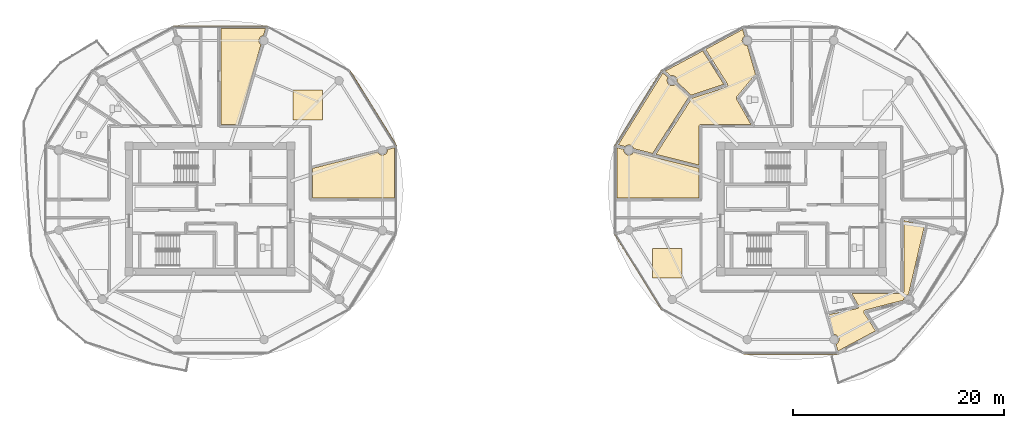
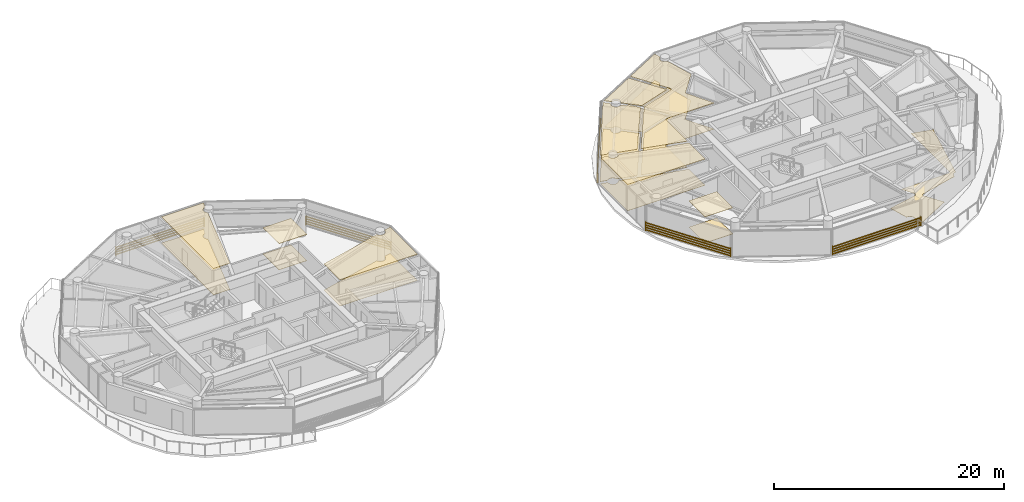
# One storey, part 22 of 25: 17 coverings, 5 shading devices.
"""IFC4 building model written with IfcOpenShell, lengths in metres."""

from ifc_helpers import new_model, si_unit, direction, frame, origin, origin_2d, place, context, subcontext, project, spatial, polyline, rectangle, outline, extrude, source, transform, mapped, material, layer, layer_set, type_object, type_shapes, element, save


model = new_model("IFC4")

# Units and contexts
model_context = context("Model", 3, precision=1e-05, world=origin(), true_north=direction((0.0, 1.0)))
body_context = subcontext(model_context, "Body", "Model", "MODEL_VIEW")
ifc_project = project(units=[si_unit("LENGTHUNIT", "METRE"), si_unit("AREAUNIT", "SQUARE_METRE"), si_unit("VOLUMEUNIT", "CUBIC_METRE"), si_unit("PLANEANGLEUNIT", "RADIAN"), si_unit("MASSUNIT", "GRAM", prefix="KILO")], contexts=[model_context])

# Site, building, storey
site_placement = place(None, origin())
site = spatial("IfcSite", under=ifc_project, at=site_placement, CompositionType="ELEMENT")
building_placement = place(site_placement, origin())
building = spatial("IfcBuilding", under=site, at=building_placement, Name="Norrkilde Senior Care Towers", CompositionType="ELEMENT")
storey_placement = place(building_placement, frame((0.0, 0.0, 161.75)))
storey = spatial("IfcBuildingStorey", under=building, at=storey_placement, Name="L50", CompositionType="ELEMENT", Elevation=161.75)

# Coverings
ifc_material_1 = material(Name="Nordic Ash Timber", Category="wood")
ifc_layer_1 = layer(ifc_material_1, 0.044921875)
ifc_layer_set_1 = layer_set([ifc_layer_1], Name="Nordic Ash Timber")
covering_type_1 = type_object("IfcCoveringType", Name="Acoustic Ash Timber Slatted Ceiling 45", PredefinedType="CEILING", material=ifc_layer_set_1)
covering_1_placement = place(storey_placement, frame((0.0, 0.0, 2.764892578125)))
element("IfcCovering", 1, at=covering_1_placement, inside=storey, type_object=covering_type_1, Name="L50 Suspended Ceiling 0308", PredefinedType="CEILING", context=body_context, shape_type="SweptSolid", body=[
    extrude(outline(polyline([(-22.732666015625, 17.05224609375), (-22.9189453125, 16.400146484375), (-22.9970703125, 16.389892578125), (-23.11279296875, 16.341796875), (-23.212158203125, 16.265625), (-23.288330078125, 16.166259765625), (-23.33642578125, 16.05029296875), (-23.352783203125, 15.92626953125), (-23.33642578125, 15.802001953125), (-23.288330078125, 15.686279296875), (-23.212158203125, 15.586669921875), (-23.162353515625, 15.548583984375), (-25.3203125, 8.0), (-26.9599609375, 8.0), (-26.9599609375, 17.05224609375), (-22.732666015625, 17.05224609375)])), origin(), (0.0, 0.0, 1.0), 0.045166015625),
])
covering_2_placement = place(storey_placement, frame((0.0, 0.0, 2.764892578125)))
element("IfcCovering", 2, at=covering_2_placement, inside=storey, type_object=covering_type_1, Name="L50 Suspended Ceiling 0309", PredefinedType="CEILING", context=body_context, shape_type="SweptSolid", body=[
    extrude(outline(polyline([(-10.5390625, 1.0400390625), (-18.300048828125, 1.0400390625), (-18.300048828125, 3.830322265625), (-12.105224609375, 5.38623046875), (-12.080810546875, 5.3271484375), (-12.00439453125, 5.2275390625), (-11.905029296875, 5.1513671875), (-11.789306640625, 5.103515625), (-11.6650390625, 5.087158203125), (-11.540771484375, 5.103515625), (-11.425048828125, 5.1513671875), (-11.32568359375, 5.2275390625), (-11.249267578125, 5.3271484375), (-11.201416015625, 5.44287109375), (-11.18505859375, 5.567138671875), (-11.19140625, 5.61572265625), (-10.5390625, 5.779541015625), (-10.5390625, 1.0400390625)])), origin(), (0.0, 0.0, 1.0), 0.045166015625),
])
covering_3_placement = place(storey_placement, frame((0.0, 0.0, 2.764892578125)))
element("IfcCovering", 3, at=covering_3_placement, inside=storey, type_object=covering_type_1, Name="L50 Suspended Ceiling 0310", PredefinedType="CEILING", context=body_context, shape_type="SweptSolid", body=[
    extrude(outline(polyline([(-20.141845703125, 8.42724609375), (-20.141845703125, 11.227294921875), (-17.341796875, 11.227294921875), (-17.341796875, 8.42724609375), (-20.141845703125, 8.42724609375)])), origin(), (0.0, 0.0, 1.0), 0.045166015625),
])
covering_4_placement = place(storey_placement, frame((0.0, 0.0, 2.764892578125)))
element("IfcCovering", 4, at=covering_4_placement, inside=storey, type_object=covering_type_1, Name="L50 Suspended Ceiling 0320", PredefinedType="CEILING", context=body_context, shape_type="SweptSolid", body=[
    extrude(outline(polyline([(18.300048828125, 1.0400390625), (10.5390625, 1.0400390625), (10.5390625, 5.779541015625), (11.19140625, 5.61572265625), (11.18505859375, 5.567138671875), (11.201416015625, 5.44287109375), (11.249267578125, 5.3271484375), (11.32568359375, 5.2275390625), (11.425048828125, 5.1513671875), (11.540771484375, 5.103515625), (11.6650390625, 5.087158203125), (11.789306640625, 5.103515625), (11.905029296875, 5.1513671875), (12.00439453125, 5.2275390625), (12.080810546875, 5.3271484375), (12.105224609375, 5.38623046875), (18.300048828125, 3.830322265625), (18.300048828125, 1.0400390625)])), origin(), (0.0, 0.0, 1.0), 0.045166015625),
])
covering_5_placement = place(storey_placement, frame((0.0, 0.0, 2.764892578125)))
element("IfcCovering", 5, at=covering_5_placement, inside=storey, type_object=covering_type_1, Name="L50 Suspended Ceiling 0325", PredefinedType="CEILING", context=body_context, shape_type="SweptSolid", body=[
    extrude(outline(polyline([(20.937255859375, 11.5595703125), (20.943359375, 11.5634765625), (20.953125, 11.570556640625), (20.95849609375, 11.574951171875), (20.9677734375, 11.5830078125), (20.97265625, 11.587890625), (20.98095703125, 11.5966796875), (20.9853515625, 11.60205078125), (20.99267578125, 11.61181640625), (20.99658203125, 11.61767578125), (21.0029296875, 11.6279296875), (21.00634765625, 11.634033203125), (21.011474609375, 11.64501953125), (21.01416015625, 11.651611328125), (21.018310546875, 11.662841796875), (21.020263671875, 11.669677734375), (21.023193359375, 11.681396484375), (21.024658203125, 11.6884765625), (21.0263671875, 11.700439453125), (21.027099609375, 11.707275390625), (21.027587890625, 11.719482421875), (21.02734375, 11.7265625), (21.026611328125, 11.738525390625), (21.02587890625, 11.74560546875), (21.02392578125, 11.757568359375), (21.0224609375, 11.764404296875), (21.01953125, 11.776123046875), (21.017333984375, 11.78271484375), (21.012939453125, 11.794189453125), (21.01025390625, 11.800537109375), (21.0048828125, 11.811279296875), (21.00146484375, 11.817626953125), (20.998291015625, 11.82275390625), (18.930908203125, 15.098876953125), (22.4404296875, 16.983154296875), (22.625244140625, 16.336181640625), (22.533203125, 16.265625), (22.45703125, 16.166259765625), (22.4091796875, 16.05029296875), (22.392822265625, 15.92626953125), (22.4091796875, 15.802001953125), (22.45703125, 15.686279296875), (22.533203125, 15.586669921875), (22.6328125, 15.510498046875), (22.74853515625, 15.46240234375), (22.872802734375, 15.446044921875), (22.87939453125, 15.447021484375), (23.652099609375, 12.744384765625), (21.87451171875, 10.61572265625), (21.87060546875, 10.61083984375), (21.866455078125, 10.605224609375), (21.859619140625, 10.59521484375), (21.85595703125, 10.589111328125), (21.850341796875, 10.578369140625), (21.84716796875, 10.572021484375), (21.842529296875, 10.560791015625), (21.84033203125, 10.55419921875), (21.836669921875, 10.542724609375), (21.8349609375, 10.53564453125), (21.832763671875, 10.52392578125), (21.831787109375, 10.516845703125), (21.830810546875, 10.5048828125), (21.830322265625, 10.497802734375), (21.83056640625, 10.485595703125), (21.8310546875, 10.478515625), (21.832275390625, 10.466552734375), (21.83349609375, 10.45947265625), (21.836181640625, 10.44775390625), (21.837890625, 10.44091796875), (21.841552734375, 10.429443359375), (21.84423828125, 10.422607421875), (21.84912109375, 10.41162109375), (21.852294921875, 10.4052734375), (21.855224609375, 10.39990234375), (23.218994140625, 8.0), (18.5, 8.0), (18.494140625, 7.999755859375), (18.486328125, 7.99951171875), (18.474609375, 7.998291015625), (18.466796875, 7.9970703125), (18.455322265625, 7.994873046875), (18.447509765625, 7.992919921875), (18.436279296875, 7.989501953125), (18.428955078125, 7.98681640625), (18.41796875, 7.982421875), (18.410888671875, 7.97900390625), (18.400634765625, 7.973388671875), (18.393798828125, 7.969482421875), (18.384033203125, 7.962890625), (18.377685546875, 7.958251953125), (18.36865234375, 7.95068359375), (18.36279296875, 7.945556640625), (18.3544921875, 7.937255859375), (18.34912109375, 7.931396484375), (18.341796875, 7.92236328125), (18.337158203125, 7.916015625), (18.33056640625, 7.90625), (18.326416015625, 7.8994140625), (18.321044921875, 7.888916015625), (18.317626953125, 7.8818359375), (18.31298828125, 7.87109375), (18.310546875, 7.86376953125), (18.30712890625, 7.852294921875), (18.30517578125, 7.8447265625), (18.302734375, 7.833251953125), (18.3017578125, 7.825439453125), (18.300537109375, 7.813720703125), (18.300048828125, 7.805908203125), (18.300048828125, 7.800048828125), (18.300048828125, 4.1396484375), (14.2314453125, 5.161376953125), (17.623046875, 10.4580078125), (20.897216796875, 11.541015625), (20.90283203125, 11.54296875), (20.909423828125, 11.545654296875), (20.92041015625, 11.550537109375), (20.9267578125, 11.5537109375), (20.937255859375, 11.5595703125)])), origin(), (0.0, 0.0, 1.0), 0.045166015625),
])
covering_6_placement = place(storey_placement, frame((0.0, 0.0, 2.764892578125)))
element("IfcCovering", 6, at=covering_6_placement, inside=storey, type_object=covering_type_1, Name="L50 Suspended Ceiling 0327", PredefinedType="CEILING", context=body_context, shape_type="SweptSolid", body=[
    extrude(outline(polyline([(16.23095703125, 12.01025390625), (16.23095703125, 12.01025390625), (16.247314453125, 12.134521484375), (16.23095703125, 12.2587890625), (16.18310546875, 12.37451171875), (16.106689453125, 12.473876953125), (16.00732421875, 12.550048828125), (15.8916015625, 12.59814453125), (15.767333984375, 12.614501953125), (15.64306640625, 12.59814453125), (15.61572265625, 12.5869140625), (15.119384765625, 13.05224609375), (18.6572265625, 14.951904296875), (20.654296875, 11.787109375), (17.560546875, 10.763916015625), (16.23095703125, 12.01025390625)])), origin(), (0.0, 0.0, 1.0), 0.045166015625),
])
covering_7_placement = place(storey_placement, frame((0.0, 0.0, 2.764892578125)))
element("IfcCovering", 7, at=covering_7_placement, inside=storey, type_object=covering_type_1, Name="L50 Suspended Ceiling 0328", PredefinedType="CEILING", context=body_context, shape_type="SweptSolid", body=[
    extrude(outline(polyline([(12.12890625, 5.689453125), (12.128662109375, 5.691162109375), (12.080810546875, 5.80712890625), (12.00439453125, 5.906494140625), (11.905029296875, 5.982666015625), (11.789306640625, 6.03076171875), (11.6650390625, 6.047119140625), (11.540771484375, 6.03076171875), (11.425048828125, 5.982666015625), (11.32568359375, 5.906494140625), (11.31591796875, 5.893798828125), (10.658447265625, 6.058837890625), (14.882568359375, 12.863037109375), (15.379150390625, 12.410400390625), (15.3515625, 12.37451171875), (15.3037109375, 12.2587890625), (15.287353515625, 12.134521484375), (15.3037109375, 12.01025390625), (15.3515625, 11.89453125), (15.427978515625, 11.795166015625), (15.52734375, 11.71875), (15.64306640625, 11.6708984375), (15.767333984375, 11.654541015625), (15.8916015625, 11.6708984375), (16.00732421875, 11.71875), (16.078369140625, 11.773193359375), (17.353271484375, 10.611572265625), (13.914306640625, 5.2412109375), (12.12890625, 5.689453125)])), origin(), (0.0, 0.0, 1.0), 0.045166015625),
])
covering_8_placement = place(storey_placement, frame((0.0, 0.0, 2.764892578125)))
element("IfcCovering", 8, at=covering_8_placement, inside=storey, type_object=covering_type_1, Name="L50 Suspended Ceiling 0329", PredefinedType="CEILING", context=body_context, shape_type="SweptSolid", body=[
    extrude(outline(polyline([(13.900390625, -6.55419921875), (13.900390625, -3.754150390625), (16.700439453125, -3.754150390625), (16.700439453125, -6.55419921875), (13.900390625, -6.55419921875)])), origin(), (0.0, 0.0, 1.0), 0.045166015625),
])
ifc_material_2 = material(Name="Slip-Resistant Porcelain Stone", Category="masonry")
ifc_layer_2 = layer(ifc_material_2, 0.02490234375)
ifc_layer_set_2 = layer_set([ifc_layer_2], Name="Slip-Resistant Porcelain Stone")
covering_type_2 = type_object("IfcCoveringType", Name="Slip-Resistant Porcelain Flooring 25", PredefinedType="FLOORING", material=ifc_layer_set_2)
covering_9_placement = place(storey_placement, origin())
element("IfcCovering", 9, at=covering_9_placement, inside=storey, type_object=covering_type_2, Name="L50 Floor Finish 0308", PredefinedType="FLOORING", context=body_context, shape_type="SweptSolid", body=[
    extrude(outline(polyline([(-22.732666015625, 17.05224609375), (-22.9189453125, 16.400146484375), (-22.9970703125, 16.389892578125), (-23.11279296875, 16.341796875), (-23.212158203125, 16.265625), (-23.288330078125, 16.166259765625), (-23.33642578125, 16.05029296875), (-23.352783203125, 15.92626953125), (-23.33642578125, 15.802001953125), (-23.288330078125, 15.686279296875), (-23.212158203125, 15.586669921875), (-23.162353515625, 15.548583984375), (-25.3203125, 8.0), (-26.9599609375, 8.0), (-26.9599609375, 17.05224609375), (-22.732666015625, 17.05224609375)])), origin(), (0.0, 0.0, 1.0), 0.02490234375),
])
covering_10_placement = place(storey_placement, origin())
element("IfcCovering", 10, at=covering_10_placement, inside=storey, type_object=covering_type_2, Name="L50 Floor Finish 0309", PredefinedType="FLOORING", context=body_context, shape_type="SweptSolid", body=[
    extrude(outline(polyline([(-10.5390625, 1.0400390625), (-18.300048828125, 1.0400390625), (-18.300048828125, 3.830322265625), (-12.105224609375, 5.38623046875), (-12.080810546875, 5.3271484375), (-12.00439453125, 5.2275390625), (-11.905029296875, 5.1513671875), (-11.789306640625, 5.103515625), (-11.6650390625, 5.087158203125), (-11.540771484375, 5.103515625), (-11.425048828125, 5.1513671875), (-11.32568359375, 5.2275390625), (-11.249267578125, 5.3271484375), (-11.201416015625, 5.44287109375), (-11.18505859375, 5.567138671875), (-11.19140625, 5.61572265625), (-10.5390625, 5.779541015625), (-10.5390625, 1.0400390625)])), origin(), (0.0, 0.0, 1.0), 0.02490234375),
])
covering_11_placement = place(storey_placement, origin())
element("IfcCovering", 11, at=covering_11_placement, inside=storey, type_object=covering_type_2, Name="L50 Floor Finish 0310", PredefinedType="FLOORING", context=body_context, shape_type="SweptSolid", body=[
    extrude(outline(polyline([(-20.141845703125, 8.42724609375), (-20.141845703125, 11.227294921875), (-17.341796875, 11.227294921875), (-17.341796875, 8.42724609375), (-20.141845703125, 8.42724609375)])), origin(), (0.0, 0.0, 1.0), 0.02490234375),
])
covering_12_placement = place(storey_placement, origin())
element("IfcCovering", 12, at=covering_12_placement, inside=storey, type_object=covering_type_2, Name="L50 Floor Finish 0320", PredefinedType="FLOORING", context=body_context, shape_type="SweptSolid", body=[
    extrude(outline(polyline([(18.300048828125, 1.0400390625), (10.5390625, 1.0400390625), (10.5390625, 5.779541015625), (11.19140625, 5.61572265625), (11.18505859375, 5.567138671875), (11.201416015625, 5.44287109375), (11.249267578125, 5.3271484375), (11.32568359375, 5.2275390625), (11.425048828125, 5.1513671875), (11.540771484375, 5.103515625), (11.6650390625, 5.087158203125), (11.789306640625, 5.103515625), (11.905029296875, 5.1513671875), (12.00439453125, 5.2275390625), (12.080810546875, 5.3271484375), (12.105224609375, 5.38623046875), (18.300048828125, 3.830322265625), (18.300048828125, 1.0400390625)])), origin(), (0.0, 0.0, 1.0), 0.02490234375),
])
covering_13_placement = place(storey_placement, origin())
element("IfcCovering", 13, at=covering_13_placement, inside=storey, type_object=covering_type_2, Name="L50 Floor Finish 0325", PredefinedType="FLOORING", context=body_context, shape_type="SweptSolid", body=[
    extrude(outline(polyline([(20.937255859375, 11.5595703125), (20.943359375, 11.5634765625), (20.953125, 11.570556640625), (20.95849609375, 11.574951171875), (20.9677734375, 11.5830078125), (20.97265625, 11.587890625), (20.98095703125, 11.5966796875), (20.9853515625, 11.60205078125), (20.99267578125, 11.61181640625), (20.99658203125, 11.61767578125), (21.0029296875, 11.6279296875), (21.00634765625, 11.634033203125), (21.011474609375, 11.64501953125), (21.01416015625, 11.651611328125), (21.018310546875, 11.662841796875), (21.020263671875, 11.669677734375), (21.023193359375, 11.681396484375), (21.024658203125, 11.6884765625), (21.0263671875, 11.700439453125), (21.027099609375, 11.707275390625), (21.027587890625, 11.719482421875), (21.02734375, 11.7265625), (21.026611328125, 11.738525390625), (21.02587890625, 11.74560546875), (21.02392578125, 11.757568359375), (21.0224609375, 11.764404296875), (21.01953125, 11.776123046875), (21.017333984375, 11.78271484375), (21.012939453125, 11.794189453125), (21.01025390625, 11.800537109375), (21.0048828125, 11.811279296875), (21.00146484375, 11.817626953125), (20.998291015625, 11.82275390625), (18.930908203125, 15.098876953125), (22.4404296875, 16.983154296875), (22.625244140625, 16.336181640625), (22.533203125, 16.265625), (22.45703125, 16.166259765625), (22.4091796875, 16.05029296875), (22.392822265625, 15.92626953125), (22.4091796875, 15.802001953125), (22.45703125, 15.686279296875), (22.533203125, 15.586669921875), (22.6328125, 15.510498046875), (22.74853515625, 15.46240234375), (22.872802734375, 15.446044921875), (22.87939453125, 15.447021484375), (23.652099609375, 12.744384765625), (21.87451171875, 10.61572265625), (21.87060546875, 10.61083984375), (21.866455078125, 10.605224609375), (21.859619140625, 10.59521484375), (21.85595703125, 10.589111328125), (21.850341796875, 10.578369140625), (21.84716796875, 10.572021484375), (21.842529296875, 10.560791015625), (21.84033203125, 10.55419921875), (21.836669921875, 10.542724609375), (21.8349609375, 10.53564453125), (21.832763671875, 10.52392578125), (21.831787109375, 10.516845703125), (21.830810546875, 10.5048828125), (21.830322265625, 10.497802734375), (21.83056640625, 10.485595703125), (21.8310546875, 10.478515625), (21.832275390625, 10.466552734375), (21.83349609375, 10.45947265625), (21.836181640625, 10.44775390625), (21.837890625, 10.44091796875), (21.841552734375, 10.429443359375), (21.84423828125, 10.422607421875), (21.84912109375, 10.41162109375), (21.852294921875, 10.4052734375), (21.855224609375, 10.39990234375), (23.218994140625, 8.0), (18.5, 8.0), (18.494140625, 7.999755859375), (18.486328125, 7.99951171875), (18.474609375, 7.998291015625), (18.466796875, 7.9970703125), (18.455322265625, 7.994873046875), (18.447509765625, 7.992919921875), (18.436279296875, 7.989501953125), (18.428955078125, 7.98681640625), (18.41796875, 7.982421875), (18.410888671875, 7.97900390625), (18.400634765625, 7.973388671875), (18.393798828125, 7.969482421875), (18.384033203125, 7.962890625), (18.377685546875, 7.958251953125), (18.36865234375, 7.95068359375), (18.36279296875, 7.945556640625), (18.3544921875, 7.937255859375), (18.34912109375, 7.931396484375), (18.341796875, 7.92236328125), (18.337158203125, 7.916015625), (18.33056640625, 7.90625), (18.326416015625, 7.8994140625), (18.321044921875, 7.888916015625), (18.317626953125, 7.8818359375), (18.31298828125, 7.87109375), (18.310546875, 7.86376953125), (18.30712890625, 7.852294921875), (18.30517578125, 7.8447265625), (18.302734375, 7.833251953125), (18.3017578125, 7.825439453125), (18.300537109375, 7.813720703125), (18.300048828125, 7.805908203125), (18.300048828125, 7.800048828125), (18.300048828125, 4.1396484375), (14.2314453125, 5.161376953125), (17.623046875, 10.4580078125), (20.897216796875, 11.541015625), (20.90283203125, 11.54296875), (20.909423828125, 11.545654296875), (20.92041015625, 11.550537109375), (20.9267578125, 11.5537109375), (20.937255859375, 11.5595703125)])), origin(), (0.0, 0.0, 1.0), 0.02490234375),
])
covering_14_placement = place(storey_placement, origin())
element("IfcCovering", 14, at=covering_14_placement, inside=storey, type_object=covering_type_2, Name="L50 Floor Finish 0327", PredefinedType="FLOORING", context=body_context, shape_type="SweptSolid", body=[
    extrude(outline(polyline([(16.23095703125, 12.01025390625), (16.23095703125, 12.01025390625), (16.247314453125, 12.134521484375), (16.23095703125, 12.2587890625), (16.18310546875, 12.37451171875), (16.106689453125, 12.473876953125), (16.00732421875, 12.550048828125), (15.8916015625, 12.59814453125), (15.767333984375, 12.614501953125), (15.64306640625, 12.59814453125), (15.61572265625, 12.5869140625), (15.119384765625, 13.05224609375), (18.6572265625, 14.951904296875), (20.654296875, 11.787109375), (17.560546875, 10.763916015625), (16.23095703125, 12.01025390625)])), origin(), (0.0, 0.0, 1.0), 0.02490234375),
])
covering_15_placement = place(storey_placement, origin())
element("IfcCovering", 15, at=covering_15_placement, inside=storey, type_object=covering_type_2, Name="L50 Floor Finish 0328", PredefinedType="FLOORING", context=body_context, shape_type="SweptSolid", body=[
    extrude(outline(polyline([(12.12890625, 5.689453125), (12.128662109375, 5.691162109375), (12.080810546875, 5.80712890625), (12.00439453125, 5.906494140625), (11.905029296875, 5.982666015625), (11.789306640625, 6.03076171875), (11.6650390625, 6.047119140625), (11.540771484375, 6.03076171875), (11.425048828125, 5.982666015625), (11.32568359375, 5.906494140625), (11.31591796875, 5.893798828125), (10.658447265625, 6.058837890625), (14.882568359375, 12.863037109375), (15.379150390625, 12.410400390625), (15.3515625, 12.37451171875), (15.3037109375, 12.2587890625), (15.287353515625, 12.134521484375), (15.3037109375, 12.01025390625), (15.3515625, 11.89453125), (15.427978515625, 11.795166015625), (15.52734375, 11.71875), (15.64306640625, 11.6708984375), (15.767333984375, 11.654541015625), (15.8916015625, 11.6708984375), (16.00732421875, 11.71875), (16.078369140625, 11.773193359375), (17.353271484375, 10.611572265625), (13.914306640625, 5.2412109375), (12.12890625, 5.689453125)])), origin(), (0.0, 0.0, 1.0), 0.02490234375),
])
covering_16_placement = place(storey_placement, origin())
element("IfcCovering", 16, at=covering_16_placement, inside=storey, type_object=covering_type_2, Name="L50 Floor Finish 0329", PredefinedType="FLOORING", context=body_context, shape_type="SweptSolid", body=[
    extrude(outline(polyline([(13.900390625, -6.55419921875), (13.900390625, -3.754150390625), (16.700439453125, -3.754150390625), (16.700439453125, -6.55419921875), (13.900390625, -6.55419921875)])), origin(), (0.0, 0.0, 1.0), 0.02490234375),
])
covering_17_placement = place(storey_placement, origin())
element("IfcCovering", 17, at=covering_17_placement, inside=storey, type_object=covering_type_2, Name="L50 Floor Finish 0330", PredefinedType="FLOORING", context=body_context, shape_type="SweptSolid", body=[
    extrude(outline(polyline([(33.328125, -9.419921875), (33.338623046875, -9.414306640625), (33.344482421875, -9.41064453125), (33.354248046875, -9.40380859375), (33.359619140625, -9.399658203125), (33.36865234375, -9.39208984375), (33.373779296875, -9.38720703125), (33.382080078125, -9.378662109375), (33.386474609375, -9.37353515625), (33.393798828125, -9.3642578125), (33.39794921875, -9.358642578125), (33.404296875, -9.3486328125), (33.40771484375, -9.342529296875), (33.4130859375, -9.33203125), (33.416015625, -9.32568359375), (33.420166015625, -9.314697265625), (33.42236328125, -9.30810546875), (33.42578125, -9.296630859375), (33.42724609375, -9.2900390625), (33.42919921875, -9.2783203125), (33.43017578125, -9.271484375), (33.43115234375, -9.259765625), (33.43115234375, -9.252685546875), (33.430908203125, -9.240966796875), (33.430419921875, -9.23388671875), (33.428955078125, -9.22216796875), (33.427734375, -9.21533203125), (33.42529296875, -9.203857421875), (33.42333984375, -9.197265625), (33.419677734375, -9.18603515625), (33.417236328125, -9.179443359375), (33.412353515625, -9.168701171875), (33.4091796875, -9.162353515625), (33.406494140625, -9.1572265625), (32.748779296875, -8.0), (37.5, -8.0), (37.505859375, -7.999755859375), (37.513671875, -7.99951171875), (37.525390625, -7.998291015625), (37.533203125, -7.9970703125), (37.544677734375, -7.994873046875), (37.552490234375, -7.992919921875), (37.563720703125, -7.989501953125), (37.571044921875, -7.98681640625), (37.58203125, -7.982421875), (37.589111328125, -7.97900390625), (37.599365234375, -7.973388671875), (37.606201171875, -7.969482421875), (37.615966796875, -7.962890625), (37.622314453125, -7.958251953125), (37.63134765625, -7.95068359375), (37.63720703125, -7.945556640625), (37.6455078125, -7.937255859375), (37.65087890625, -7.931396484375), (37.658203125, -7.92236328125), (37.662841796875, -7.916015625), (37.66943359375, -7.90625), (37.673583984375, -7.8994140625), (37.678955078125, -7.888916015625), (37.682373046875, -7.8818359375), (37.68701171875, -7.87109375), (37.689453125, -7.86376953125), (37.69287109375, -7.852294921875), (37.69482421875, -7.8447265625), (37.697265625, -7.833251953125), (37.6982421875, -7.825439453125), (37.699462890625, -7.813720703125), (37.699951171875, -7.805908203125), (37.699951171875, -7.800048828125), (37.699951171875, -1.103759765625), (39.649658203125, -1.593505859375), (38.13232421875, -8.1103515625), (38.058349609375, -8.1201171875), (37.942626953125, -8.16796875), (37.84326171875, -8.244384765625), (37.766845703125, -8.34375), (37.718994140625, -8.45947265625), (37.70263671875, -8.583740234375), (37.708984375, -8.632568359375), (34.0478515625, -9.57958984375), (34.0419921875, -9.581298828125), (34.035400390625, -9.58349609375), (34.024169921875, -9.587646484375), (34.017822265625, -9.59033203125), (34.007080078125, -9.595458984375), (34.0009765625, -9.598876953125), (33.990966796875, -9.60498046875), (33.985107421875, -9.60888671875), (33.9755859375, -9.6162109375), (33.970458984375, -9.62060546875), (33.961669921875, -9.62890625), (33.956787109375, -9.6337890625), (33.948974609375, -9.642822265625), (33.944580078125, -9.648193359375), (33.937744140625, -9.657958984375), (33.933837890625, -9.663818359375), (33.927978515625, -9.674072265625), (33.9248046875, -9.680419921875), (33.919921875, -9.691162109375), (33.917236328125, -9.69775390625), (33.91357421875, -9.708984375), (33.91162109375, -9.715576171875), (33.908935546875, -9.727294921875), (33.90771484375, -9.734130859375), (33.90625, -9.74609375), (33.90576171875, -9.7529296875), (33.905517578125, -9.764892578125), (33.90576171875, -9.771728515625), (33.906494140625, -9.78369140625), (33.907470703125, -9.79052734375), (33.909423828125, -9.80224609375), (33.9111328125, -9.80908203125), (33.914306640625, -9.820556640625), (33.91650390625, -9.8271484375), (33.9208984375, -9.83837890625), (33.923583984375, -9.8447265625), (33.928955078125, -9.855224609375), (33.9326171875, -9.861328125), (33.935546875, -9.866455078125), (35.017578125, -11.548828125), (31.45556640625, -13.46142578125), (31.26953125, -12.810791015625), (31.3173828125, -12.791259765625), (31.416748046875, -12.71484375), (31.492919921875, -12.615478515625), (31.541015625, -12.499755859375), (31.557373046875, -12.37548828125), (31.541015625, -12.251220703125), (31.492919921875, -12.135498046875), (31.416748046875, -12.0361328125), (31.3173828125, -11.959716796875), (31.201416015625, -11.911865234375), (31.077392578125, -11.8955078125), (31.010498046875, -11.904296875), (30.475830078125, -10.034423828125), (33.28076171875, -9.43701171875), (33.28662109375, -9.435546875), (33.293212890625, -9.433837890625), (33.3046875, -9.43017578125), (33.31103515625, -9.427734375), (33.322021484375, -9.423095703125), (33.328125, -9.419921875)])), origin(), (0.0, 0.0, 1.0), 0.02490234375),
])

# Shading devices
ifc_material_3 = material(Name="Architectural Terracotta", Category="masonry")
shading_device_type = type_object("IfcShadingDeviceType", Name="Horizontal Terracotta Baguette Rack", PredefinedType="USERDEFINED", material=ifc_material_3)
shared_shape_1 = source(origin(), body_context, "Body", "SweptSolid", [
    extrude(rectangle(XDim=0.070068359375, YDim=0.110107421875, at=origin_2d()), frame((0.0, 0.090087890625, 0.125), z_axis=(1.0, 0.0, 0.0), x_axis=(0.0, 1.0, 0.0)), (0.0, 0.0, 1.0), 8.89306640625),
    extrude(rectangle(XDim=0.070068359375, YDim=0.110107421875, at=origin_2d()), frame((0.0, 0.090087890625, 0.375), z_axis=(1.0, 0.0, 0.0), x_axis=(0.0, 1.0, 0.0)), (0.0, 0.0, 1.0), 8.89306640625),
    extrude(rectangle(XDim=0.070068359375, YDim=0.110107421875, at=origin_2d()), frame((0.0, 0.090087890625, 0.625), z_axis=(1.0, 0.0, 0.0), x_axis=(0.0, 1.0, 0.0)), (0.0, 0.0, 1.0), 8.89306640625),
    extrude(rectangle(XDim=0.070068359375, YDim=0.110107421875, at=origin_2d()), frame((0.0, 0.090087890625, 0.875), z_axis=(1.0, 0.0, 0.0), x_axis=(0.0, 1.0, 0.0)), (0.0, 0.0, 1.0), 8.89306640625),
    extrude(rectangle(XDim=0.050048828125, YDim=0.1552734375, at=origin_2d()), frame((0.02490234375, 0.047607421875, 0.0)), (0.0, 0.0, 1.0), 1.0),
    extrude(rectangle(XDim=0.050048828125, YDim=0.1552734375, at=origin_2d()), frame((8.8681640625, 0.047607421875, 0.0)), (0.0, 0.0, 1.0), 1.0),
])
for number, where, z_axis, x_axis, name in (
    (18, (-31.421630859375, 17.2109375, 0.080078125), (0.0, 0.0, 1.0), (1.0, 0.0, 0.0), "L50 Drum W Terracotta Baguette Screen 02"),
    (19, (31.421630859375, -13.66015625, 0.080078125), (0.0, 0.0, 1.0), (-1.0, 0.0, 0.0), "L50 Drum E Terracotta Baguette Screen 08"),
):
    element("IfcShadingDevice", number, at=place(storey_placement, frame(where, z_axis=z_axis, x_axis=x_axis)), inside=storey, type_object=shading_device_type, Name=name, ObjectType="BAGUETTE", PredefinedType="USERDEFINED", context=body_context, shape_type="MappedRepresentation", body=[
        mapped(shared_shape_1, transform((0.0, 0.0, 0.0), x_axis=(1.0, 0.0, 0.0), y_axis=(0.0, 1.0, 0.0), z_axis=(0.0, 0.0, 1.0), scale=1.0)),
    ])
shared_shape_2 = source(origin(), body_context, "Body", "SweptSolid", [
    extrude(rectangle(XDim=0.070068359375, YDim=0.110107421875, at=origin_2d()), frame((0.0, 0.090087890625, 0.125), z_axis=(1.0, 0.0, 0.0), x_axis=(0.0, 1.0, 0.0)), (0.0, 0.0, 1.0), 8.431396484375),
    extrude(rectangle(XDim=0.070068359375, YDim=0.110107421875, at=origin_2d()), frame((0.0, 0.090087890625, 0.375), z_axis=(1.0, 0.0, 0.0), x_axis=(0.0, 1.0, 0.0)), (0.0, 0.0, 1.0), 8.431396484375),
    extrude(rectangle(XDim=0.070068359375, YDim=0.110107421875, at=origin_2d()), frame((0.0, 0.090087890625, 0.625), z_axis=(1.0, 0.0, 0.0), x_axis=(0.0, 1.0, 0.0)), (0.0, 0.0, 1.0), 8.431396484375),
    extrude(rectangle(XDim=0.070068359375, YDim=0.110107421875, at=origin_2d()), frame((0.0, 0.090087890625, 0.875), z_axis=(1.0, 0.0, 0.0), x_axis=(0.0, 1.0, 0.0)), (0.0, 0.0, 1.0), 8.431396484375),
    extrude(rectangle(XDim=0.050048828125, YDim=0.1552734375, at=origin_2d()), frame((0.02490234375, 0.047607421875, 0.0)), (0.0, 0.0, 1.0), 1.0),
    extrude(rectangle(XDim=0.050048828125, YDim=0.1552734375, at=origin_2d()), frame((8.40625, 0.047607421875, 0.0)), (0.0, 0.0, 1.0), 1.0),
])
type_shapes(shading_device_type, [shared_shape_1, shared_shape_2])
for number, where, z_axis, x_axis, name in (
    (20, (-14.826904296875, 13.074951171875, 0.080078125), (0.0, 0.0, 1.0), (0.527378022296, -0.849630809324, 0.0), "L50 Drum W Terracotta Baguette Screen 00"),
    (21, (10.38037109375, 5.911376953125, 0.080078125), (0.0, 0.0, 1.0), (0.527378022296, 0.849630809324, 0.0), "L50 Drum E Terracotta Baguette Screen 04"),
    (22, (14.826904296875, -9.524169921875, 0.080078125), (0.0, 0.0, 1.0), (-0.527378022296, 0.849630809324, 0.0), "L50 Drum E Terracotta Baguette Screen 06"),
):
    element("IfcShadingDevice", number, at=place(storey_placement, frame(where, z_axis=z_axis, x_axis=x_axis)), inside=storey, type_object=shading_device_type, Name=name, ObjectType="BAGUETTE", PredefinedType="USERDEFINED", context=body_context, shape_type="MappedRepresentation", body=[
        mapped(shared_shape_2, transform((0.0, 0.0, 0.0), x_axis=(1.0, 0.0, 0.0), y_axis=(0.0, 1.0, 0.0), z_axis=(0.0, 0.0, 1.0), scale=1.0)),
    ])

save(model, "model.ifc")
